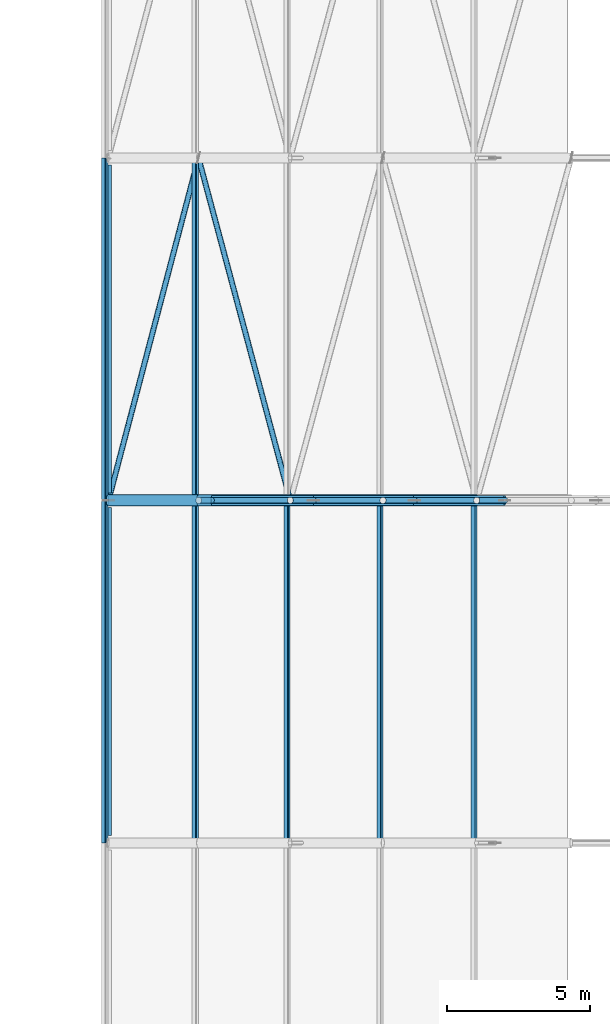
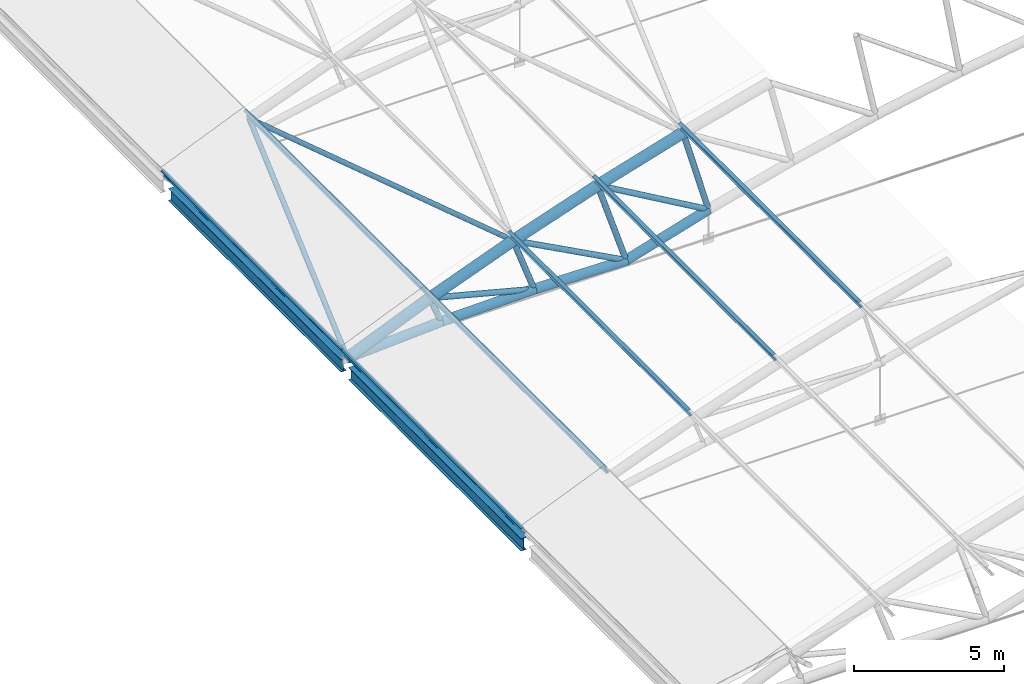
# One storey, part 57 of 321: 24 members, 2 beams.
"""IFC4 building model written with IfcOpenShell, lengths in metres."""

from ifc_helpers import new_model, si_unit, direction, frame, origin, origin_2d, place, context, subcontext, project, spatial, hollow_circle, i_section, extrude, material, material_profile, profile_set, type_object, element, save


model = new_model("IFC4")

# Units and contexts
model_context = context("Model", 3, precision=1e-05, world=origin(), true_north=direction((0.0, 1.0)))
body_context = subcontext(model_context, "Body", "Model", "MODEL_VIEW")
ifc_project = project(units=[si_unit("LENGTHUNIT", "METRE"), si_unit("AREAUNIT", "SQUARE_METRE"), si_unit("VOLUMEUNIT", "CUBIC_METRE"), si_unit("PLANEANGLEUNIT", "RADIAN"), si_unit("MASSUNIT", "GRAM", prefix="KILO")], contexts=[model_context])

# Site, building, storey
site_placement = place(None, origin())
site = spatial("IfcSite", under=ifc_project, at=site_placement, CompositionType="ELEMENT")
building_placement = place(site_placement, origin())
building = spatial("IfcBuilding", under=site, at=building_placement, Name="Ravi Spectrum Wholesale Market", CompositionType="ELEMENT")
storey_placement = place(building_placement, frame((0.0, 0.0, 10.800048828125)))
storey = spatial("IfcBuildingStorey", under=building, at=storey_placement, Name="L02", CompositionType="ELEMENT", Elevation=10.800048828125)

# Members
ifc_material_1 = material(Name="Steel S355", Category="steel")
ifc_material_profile_1 = material_profile(ifc_material_1, hollow_circle(Radius=0.096923828125, WallThickness=0.00634765625, at=origin_2d()))
ifc_profile_set_1 = profile_set([ifc_material_profile_1], Name="Steel S355")
member_type_1 = type_object("IfcMemberType", Name="CHS 193.7x6.3 brace", PredefinedType="BRACE", material=ifc_profile_set_1)
member_1_placement = place(storey_placement, frame((30.0, 102.0, 0.0), z_axis=(0.252750787053, 0.961474087551, 0.108095414384), x_axis=(-0.967141027223, 0.254240503189, 0.0)))
element("IfcMember", 1, at=member_1_placement, inside=storey, type_object=member_type_1, Name="H1-MB-L02-1632", PredefinedType="BRACE", context=body_context, shape_type="SweptSolid", body=[
    extrude(hollow_circle(Radius=0.096923828125, WallThickness=0.00634765625, at=origin_2d()), origin(), (0.0, 0.0, 1.0), 12.48095703125),
])
member_2_placement = place(storey_placement, frame((33.154541015625, 114.0, 1.34912109375), z_axis=(0.257759532951, -0.961478072674, 0.095498371395), x_axis=(0.96589260156, 0.258943009659, 0.0)))
element("IfcMember", 2, at=member_2_placement, inside=storey, type_object=member_type_1, Name="H1-MB-L02-1633", PredefinedType="BRACE", context=body_context, shape_type="SweptSolid", body=[
    extrude(hollow_circle(Radius=0.096923828125, WallThickness=0.00634765625, at=origin_2d()), origin(), (0.0, 0.0, 1.0), 12.480712890625),
])
ifc_material_2 = material(Name="Steel S355", Category="steel")
ifc_material_profile_2 = material_profile(ifc_material_2, hollow_circle(Radius=0.109619140625, WallThickness=0.008056640625, at=origin_2d()))
ifc_profile_set_2 = profile_set([ifc_material_profile_2], Name="Steel S355")
member_type_2 = type_object("IfcMemberType", Name="CHS 219.1x8 brace", PredefinedType="BRACE", material=ifc_profile_set_2)
member_3_placement = place(storey_placement, frame((33.163818359375, 102.0, 1.325439453125), z_axis=(0.967942387937, 0.0, -0.251172318609), x_axis=(0.0, 1.0, 0.0)))
element("IfcMember", 3, at=member_3_placement, inside=storey, type_object=member_type_2, Name="H1-MB-L02-558", PredefinedType="BRACE", context=body_context, shape_type="SweptSolid", body=[
    extrude(hollow_circle(Radius=0.109619140625, WallThickness=0.008056640625, at=origin_2d()), origin(), (0.0, 0.0, 1.0), 4.15234375),
])
for number, where, z_axis, x_axis, name in (
    (4, (36.37158203125, 102.0, 2.541015625), (0.881933088563, 0.0, -0.471374614608), (0.0, 1.0, 0.0), "H1-MB-L02-559"),
    (5, (39.619384765625, 102.0, 3.645263671875), (0.865160555252, 0.0, -0.501494978675), (0.0, 1.0, 0.0), "H1-MB-L02-560"),
):
    element("IfcMember", number, at=place(storey_placement, frame(where, z_axis=z_axis, x_axis=x_axis)), inside=storey, type_object=member_type_2, Name=name, PredefinedType="BRACE", context=body_context, shape_type="SweptSolid", body=[
        extrude(hollow_circle(Radius=0.109619140625, WallThickness=0.008056640625, at=origin_2d()), origin(), (0.0, 0.0, 1.0), 4.9296875),
    ])
ifc_material_3 = material(Name="Steel S355", Category="steel")
ifc_material_profile_3 = material_profile(ifc_material_3, hollow_circle(Radius=0.109619140625, WallThickness=0.008056640625, at=origin_2d()))
ifc_profile_set_3 = profile_set([ifc_material_profile_3], Name="Steel S355")
member_type_3 = type_object("IfcMemberType", Name="CHS 219.1x8 post", PredefinedType="POST", material=ifc_profile_set_3)
member_4_placement = place(storey_placement, frame((33.163818359375, 102.0, 1.325439453125), z_axis=(0.370513497528, 0.0, -0.928827081942), x_axis=(0.0, 1.0, 0.0)))
element("IfcMember", 6, at=member_4_placement, inside=storey, type_object=member_type_3, Name="H1-MB-L02-535", PredefinedType="POST", context=body_context, shape_type="SweptSolid", body=[
    extrude(hollow_circle(Radius=0.109619140625, WallThickness=0.008056640625, at=origin_2d()), origin(), (0.0, 0.0, 1.0), 1.199951171875),
])
member_5_placement = place(storey_placement, frame((36.37158203125, 102.0, 2.541015625), z_axis=(0.338146640483, 0.0, -0.941093432944), x_axis=(0.0, 1.0, 0.0)))
element("IfcMember", 7, at=member_5_placement, inside=storey, type_object=member_type_3, Name="H1-MB-L02-536", PredefinedType="POST", context=body_context, shape_type="SweptSolid", body=[
    extrude(hollow_circle(Radius=0.109619140625, WallThickness=0.008056640625, at=origin_2d()), origin(), (0.0, 0.0, 1.0), 2.39990234375),
])
member_6_placement = place(storey_placement, frame((39.619384765625, 102.0, 3.645263671875), z_axis=(0.305506444581, 0.0, -0.952190008517), x_axis=(0.0, 1.0, 0.0)))
element("IfcMember", 8, at=member_6_placement, inside=storey, type_object=member_type_3, Name="H1-MB-L02-537", PredefinedType="POST", context=body_context, shape_type="SweptSolid", body=[
    extrude(hollow_circle(Radius=0.109619140625, WallThickness=0.008056640625, at=origin_2d()), origin(), (0.0, 0.0, 1.0), 3.60009765625),
])
member_7_placement = place(storey_placement, frame((42.903076171875, 102.0, 4.63671875), z_axis=(0.272561766134, 0.0, -0.962138287172), x_axis=(0.0, 1.0, 0.0)))
element("IfcMember", 9, at=member_7_placement, inside=storey, type_object=member_type_3, Name="H1-MB-L02-538", PredefinedType="POST", context=body_context, shape_type="SweptSolid", body=[
    extrude(hollow_circle(Radius=0.109619140625, WallThickness=0.008056640625, at=origin_2d()), origin(), (0.0, 0.0, 1.0), 3.599853515625),
])
ifc_material_4 = material(Name="Steel S355", Category="steel")
ifc_material_profile_4 = material_profile(ifc_material_4, hollow_circle(Radius=0.177734375, WallThickness=0.012451171875, at=origin_2d()))
ifc_profile_set_4 = profile_set([ifc_material_profile_4], Name="Steel S355")
member_type_4 = type_object("IfcMemberType", Name="CHS 355.6x12.5 chord", PredefinedType="CHORD", material=ifc_profile_set_4)
member_8_placement = place(storey_placement, frame((30.0, 102.0, 0.0), z_axis=(0.998295734367, 0.0, 0.058357747936), x_axis=(0.0, 1.0, 0.0)))
element("IfcMember", 10, at=member_8_placement, inside=storey, type_object=member_type_4, Name="H1-MB-L02-511", PredefinedType="CHORD", context=body_context, shape_type="SweptSolid", body=[
    extrude(hollow_circle(Radius=0.177734375, WallThickness=0.012451171875, at=origin_2d()), origin(), (0.0, 0.0, 1.0), 3.614501953125),
])
member_9_placement = place(storey_placement, frame((33.6083984375, 102.0, 0.2109375), z_axis=(0.999799841502, 0.0, 0.020006922112), x_axis=(0.0, 1.0, 0.0)))
element("IfcMember", 11, at=member_9_placement, inside=storey, type_object=member_type_4, Name="H1-MB-L02-512", PredefinedType="CHORD", context=body_context, shape_type="SweptSolid", body=[
    extrude(hollow_circle(Radius=0.177734375, WallThickness=0.012451171875, at=origin_2d()), origin(), (0.0, 0.0, 1.0), 3.575439453125),
])
member_10_placement = place(storey_placement, frame((37.18310546875, 102.0, 0.282470703125), z_axis=(0.999830134639, 0.0, -0.018431002896), x_axis=(0.0, 1.0, 0.0)))
element("IfcMember", 12, at=member_10_placement, inside=storey, type_object=member_type_4, Name="H1-MB-L02-513", PredefinedType="CHORD", context=body_context, shape_type="SweptSolid", body=[
    extrude(hollow_circle(Radius=0.177734375, WallThickness=0.012451171875, at=origin_2d()), origin(), (0.0, 0.0, 1.0), 3.53662109375),
])
member_11_placement = place(storey_placement, frame((40.71923828125, 102.0, 0.21728515625), z_axis=(0.957300337613, 0.0, 0.289095250058), x_axis=(0.0, 1.0, 0.0)))
element("IfcMember", 13, at=member_11_placement, inside=storey, type_object=member_type_4, Name="H1-MB-L02-514", PredefinedType="CHORD", context=body_context, shape_type="SweptSolid", body=[
    extrude(hollow_circle(Radius=0.177734375, WallThickness=0.012451171875, at=origin_2d()), origin(), (0.0, 0.0, 1.0), 3.30615234375),
])
ifc_material_5 = material(Name="Steel S355", Category="steel")
ifc_material_profile_5 = material_profile(ifc_material_5, hollow_circle(Radius=0.203125, WallThickness=0.01611328125, at=origin_2d()))
ifc_profile_set_5 = profile_set([ifc_material_profile_5], Name="Steel S355")
member_type_5 = type_object("IfcMemberType", Name="CHS 406.4x16 chord", PredefinedType="CHORD", material=ifc_profile_set_5)
member_12_placement = place(storey_placement, frame((30.0, 102.0, 0.0), z_axis=(0.922331882778, 0.0, 0.386398625789), x_axis=(0.0, 1.0, 0.0)))
element("IfcMember", 14, at=member_12_placement, inside=storey, type_object=member_type_5, Name="H1-MB-L02-487", PredefinedType="CHORD", context=body_context, shape_type="SweptSolid", body=[
    extrude(hollow_circle(Radius=0.203125, WallThickness=0.01611328125, at=origin_2d()), origin(), (0.0, 0.0, 1.0), 3.43017578125),
])
for number, where, z_axis, x_axis, name in (
    (15, (33.163818359375, 102.0, 1.325439453125), (0.935109783896, 0.0, 0.354358140956), (0.0, 1.0, 0.0), "H1-MB-L02-488"),
    (16, (36.37158203125, 102.0, 2.541015625), (0.946773178626, 0.0, 0.321901457335), (0.0, 1.0, 0.0), "H1-MB-L02-489"),
):
    element("IfcMember", number, at=place(storey_placement, frame(where, z_axis=z_axis, x_axis=x_axis)), inside=storey, type_object=member_type_5, Name=name, PredefinedType="CHORD", context=body_context, shape_type="SweptSolid", body=[
        extrude(hollow_circle(Radius=0.203125, WallThickness=0.01611328125, at=origin_2d()), origin(), (0.0, 0.0, 1.0), 3.430419921875),
    ])
member_13_placement = place(storey_placement, frame((39.619384765625, 102.0, 3.645263671875), z_axis=(0.957315448633, 0.0, 0.289045207204), x_axis=(0.0, 1.0, 0.0)))
element("IfcMember", 17, at=member_13_placement, inside=storey, type_object=member_type_5, Name="H1-MB-L02-490", PredefinedType="CHORD", context=body_context, shape_type="SweptSolid", body=[
    extrude(hollow_circle(Radius=0.203125, WallThickness=0.01611328125, at=origin_2d()), origin(), (0.0, 0.0, 1.0), 3.43017578125),
])
ifc_material_6 = material(Name="Steel S355", Category="steel")
ifc_material_profile_6 = material_profile(ifc_material_6, i_section(OverallWidth=0.135009765625, OverallDepth=0.27001953125, WebThickness=0.006591796875, FlangeThickness=0.01025390625, at=origin_2d()))
ifc_profile_set_6 = profile_set([ifc_material_profile_6], Name="Steel S355")
member_type_6 = type_object("IfcMemberType", Name="IPE 270 purlin", PredefinedType="PURLIN", material=ifc_profile_set_6)
for number, where, z_axis, x_axis, name in (
    (18, (29.864013671875, 90.0, 0.3095703125), (0.0, 1.0, 0.0), (-0.915525334521, 0.0, -0.402260316027), "H1-MB-L02-1359"),
    (19, (33.03857421875, 90.0, 1.6396484375), (0.0, 1.0, 0.0), (-0.928855283584, 0.0, -0.370442792017), "H1-MB-L02-1360"),
    (20, (36.25732421875, 90.0, 2.859375), (0.0, 1.0, 0.0), (-0.941079849597, 0.0, -0.338184441811), "H1-MB-L02-1361"),
    (21, (39.515869140625, 90.0, 3.96728515625), (0.0, 1.0, 0.0), (-0.952184497174, 0.0, -0.305523621577), "H1-MB-L02-1362"),
    (22, (42.81103515625, 90.0, 4.962158203125), (0.0, 1.0, 0.0), (-0.96215600485, 0.0, -0.272499215286), "H1-MB-L02-1363"),
    (23, (29.864013671875, 102.0, 0.3095703125), (0.0, 1.0, 0.0), (-0.915525334521, 0.0, -0.402260316027), "H1-MB-L02-1384"),
    (24, (33.03857421875, 102.0, 1.6396484375), (0.0, 1.0, 0.0), (-0.928855283584, 0.0, -0.370442792017), "H1-MB-L02-1385"),
):
    element("IfcMember", number, at=place(storey_placement, frame(where, z_axis=z_axis, x_axis=x_axis)), inside=storey, type_object=member_type_6, Name=name, PredefinedType="PURLIN", context=body_context, shape_type="SweptSolid", body=[
        extrude(i_section(OverallWidth=0.135009765625, OverallDepth=0.27001953125, WebThickness=0.006591796875, FlangeThickness=0.01025390625, at=origin_2d()), origin(), (0.0, 0.0, 1.0), 12.0),
    ])

# Beams
ifc_material_7 = material(Name="Steel S355", Category="steel")
ifc_material_profile_7 = material_profile(ifc_material_7, i_section(OverallWidth=0.199951171875, OverallDepth=0.5, WebThickness=0.01025390625, FlangeThickness=0.01611328125, at=origin_2d()))
ifc_profile_set_7 = profile_set([ifc_material_profile_7], Name="Steel S355")
beam_type = type_object("IfcBeamType", Name="IPE 500 girder", PredefinedType="BEAM", material=ifc_profile_set_7)
for number, where, z_axis, x_axis, name in (
    (25, (30.0, 90.25390625, -0.449951171875), (0.0, 1.0, 0.0), (-1.0, 0.0, 0.0), "H1-BM-L02-006"),
    (26, (30.0, 102.25390625, -0.449951171875), (0.0, 1.0, 0.0), (-1.0, 0.0, 0.0), "H1-BM-L02-007"),
):
    element("IfcBeam", number, at=place(storey_placement, frame(where, z_axis=z_axis, x_axis=x_axis)), inside=storey, type_object=beam_type, Name=name, PredefinedType="BEAM", context=body_context, shape_type="SweptSolid", body=[
        extrude(i_section(OverallWidth=0.199951171875, OverallDepth=0.5, WebThickness=0.01025390625, FlangeThickness=0.01611328125, at=origin_2d()), origin(), (0.0, 0.0, 1.0), 11.4921875),
    ])

save(model, "model.ifc")
